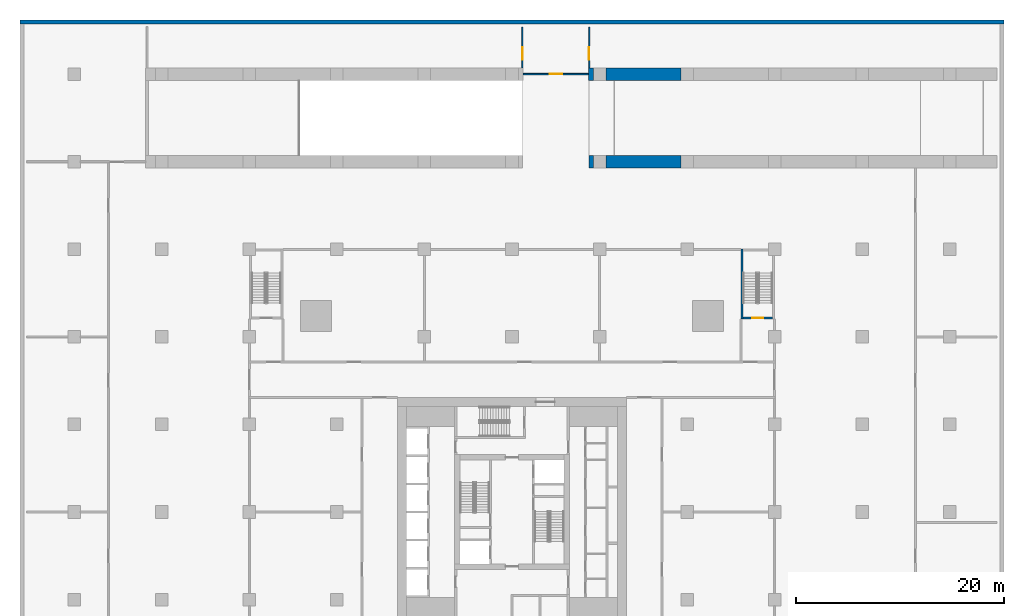
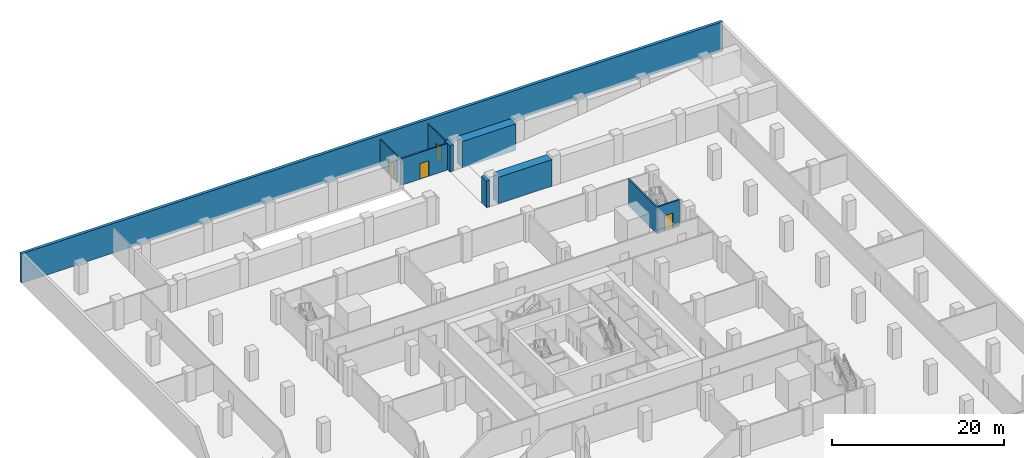
# One storey, part 10 of 16: 10 walls, 4 doors, 4 openings.
"""IFC4 building model written with IfcOpenShell, lengths in metres."""

from ifc_helpers import new_model, si_unit, direction, frame, frame_2d, origin, place, context, subcontext, project, spatial, rectangle, extrude, material, layer, layer_set, type_object, element, fill, save


model = new_model("IFC4")

# Units and contexts
model_context = context("Model", 3, precision=1e-05, world=origin(), true_north=direction((0.0, 1.0)))
body_context = subcontext(model_context, "Body", "Model", "MODEL_VIEW")
ifc_project = project(units=[si_unit("LENGTHUNIT", "METRE"), si_unit("AREAUNIT", "SQUARE_METRE"), si_unit("VOLUMEUNIT", "CUBIC_METRE"), si_unit("PLANEANGLEUNIT", "RADIAN"), si_unit("MASSUNIT", "GRAM", prefix="KILO")], contexts=[model_context])

# Site, building, storey
site_placement = place(None, origin())
site = spatial("IfcSite", under=ifc_project, at=site_placement, CompositionType="ELEMENT")
building_placement = place(site_placement, origin())
building = spatial("IfcBuilding", under=site, at=building_placement, Name="Khepri Terraces", CompositionType="ELEMENT")
storey_placement = place(building_placement, frame((0.0, 0.0, -4.199951171875)))
storey = spatial("IfcBuildingStorey", under=building, at=storey_placement, Name="B1", CompositionType="ELEMENT", Elevation=-4.199951171875)

# Wall
ifc_material_1 = material(Name="Concrete C60/75", Category="concrete")
ifc_layer_1 = layer(ifc_material_1, 0.39990234375, Name="Concrete C60/75", Category="concrete")
ifc_layer_set_1 = layer_set([ifc_layer_1], Name="Concrete C60/75")
wall_type_1 = type_object("IfcWallType", Name="Retaining wall RW1", PredefinedType="USERDEFINED", material=ifc_layer_set_1)
wall_1_placement = place(storey_placement, frame((-47.199951171875, 47.0, 0.0), z_axis=(0.0, 0.0, 1.0), x_axis=(1.0, 0.0, 0.0)))
element("IfcWall", 1, at=wall_1_placement, inside=storey, type_object=wall_type_1, Name="Basement retaining wall N B1", ObjectType="RETAINING WALL", PredefinedType="USERDEFINED", context=body_context, shape_type="SweptSolid", body=[
    extrude(rectangle(XDim=94.39990234375, YDim=0.39990234375, at=frame_2d((47.199951171875, 0.0))), origin(), (0.0, 0.0, 1.0), 4.199951171875),
])

# Wall, opening, door
ifc_material_2 = material(Name="Gypsum board partition")
ifc_layer_2 = layer(ifc_material_2, 0.14990234375, Name="Gypsum board partition")
ifc_layer_set_2 = layer_set([ifc_layer_2], Name="Gypsum board partition")
wall_type_2 = type_object("IfcWallType", Name="WL-POD-150", PredefinedType="PARTITIONING", material=ifc_layer_set_2)
wall_2_placement = place(storey_placement, frame((1.074951171875, 42.0, 0.0), z_axis=(0.0, 0.0, 1.0), x_axis=(1.0, 0.0, 0.0)))
wall_2 = element("IfcWall", 2, at=wall_2_placement, inside=storey, type_object=wall_type_2, Name="Partition B1-PW054", PredefinedType="PARTITIONING", context=body_context, shape_type="SweptSolid", body=[
    extrude(rectangle(XDim=6.25, YDim=0.14990234375, at=frame_2d((3.125, 0.0))), origin(), (0.0, 0.0, 1.0), 3.780029296875),
])
opening_1_placement = place(wall_2_placement, frame((2.52490234375, 0.0, 0.0)))
opening_1 = element("IfcOpeningElement", 3, at=opening_1_placement, cuts=wall_2, Name="Opening B1-P36", PredefinedType="OPENING", context=body_context, shape_type="SweptSolid", body=[
    extrude(rectangle(XDim=1.199951171875, YDim=2.199951171875, at=frame_2d((0.60009765625, 1.10009765625))), frame((0.0, 0.0849609375, 0.0), z_axis=(0.0, -1.0, 0.0), x_axis=(1.0, 0.0, 0.0)), (0.0, 0.0, 1.0), 0.169921875),
])
ifc_material_3 = material(Name="Timber veneer", Category="wood")
door_type_1 = type_object("IfcDoorType", Name="DR-POD-SINGLE-1200", OperationType="NOTDEFINED", PredefinedType="DOOR", material=ifc_material_3)
door_1_placement = place(opening_1_placement, origin())
door_1 = element("IfcDoor", 4, at=door_1_placement, inside=storey, type_object=door_type_1, Name="Door B1-P36", OperationType="SINGLE_SWING_LEFT", OverallHeight=2.199951171875, OverallWidth=1.199951171875, PredefinedType="DOOR", context=body_context, shape_type="SweptSolid", body=[
    extrude(rectangle(XDim=1.199951171875, YDim=2.199951171875, at=frame_2d((0.60009765625, 1.10009765625))), frame((0.0, 0.02490234375, 0.0), z_axis=(0.0, -1.0, 0.0), x_axis=(1.0, 0.0, 0.0)), (0.0, 0.0, 1.0), 0.050048828125),
])
fill(opening_1, door_1)

wall_3_placement = place(storey_placement, frame((1.0, 42.60009765625, 0.0), z_axis=(0.0, 0.0, 1.0), x_axis=(0.0, 1.0, 0.0)))
wall_3 = element("IfcWall", 5, at=wall_3_placement, inside=storey, type_object=wall_type_2, Name="Partition B1-PW085", PredefinedType="PARTITIONING", context=body_context, shape_type="SweptSolid", body=[
    extrude(rectangle(XDim=3.949951171875, YDim=0.14990234375, at=frame_2d((1.97509765625, 0.0))), origin(), (0.0, 0.0, 1.0), 3.780029296875),
])
opening_2_placement = place(wall_3_placement, frame((0.800048828125, 0.0, 0.0)))
opening_2 = element("IfcOpeningElement", 6, at=opening_2_placement, cuts=wall_3, Name="Opening B1-P37", PredefinedType="OPENING", context=body_context, shape_type="SweptSolid", body=[
    extrude(rectangle(XDim=1.199951171875, YDim=2.199951171875, at=frame_2d((0.60009765625, 1.10009765625))), frame((0.0, 0.0849609375, 0.0), z_axis=(0.0, -1.0, 0.0), x_axis=(1.0, 0.0, 0.0)), (0.0, 0.0, 1.0), 0.169921875),
])
door_2_placement = place(opening_2_placement, origin())
door_2 = element("IfcDoor", 7, at=door_2_placement, inside=storey, type_object=door_type_1, Name="Door B1-P37", OperationType="SINGLE_SWING_LEFT", OverallHeight=2.199951171875, OverallWidth=1.199951171875, PredefinedType="DOOR", context=body_context, shape_type="SweptSolid", body=[
    extrude(rectangle(XDim=1.199951171875, YDim=2.199951171875, at=frame_2d((0.60009765625, 1.10009765625))), frame((0.0, 0.02490234375, 0.0), z_axis=(0.0, -1.0, 0.0), x_axis=(1.0, 0.0, 0.0)), (0.0, 0.0, 1.0), 0.050048828125),
])
fill(opening_2, door_2)

wall_4_placement = place(storey_placement, frame((7.39990234375, 42.60009765625, 0.0), z_axis=(0.0, 0.0, 1.0), x_axis=(0.0, 1.0, 0.0)))
wall_4 = element("IfcWall", 8, at=wall_4_placement, inside=storey, type_object=wall_type_2, Name="Partition B1-PW086", PredefinedType="PARTITIONING", context=body_context, shape_type="SweptSolid", body=[
    extrude(rectangle(XDim=3.949951171875, YDim=0.14990234375, at=frame_2d((1.97509765625, 0.0))), origin(), (0.0, 0.0, 1.0), 3.780029296875),
])
opening_3_placement = place(wall_4_placement, frame((0.800048828125, 0.0, 0.0)))
opening_3 = element("IfcOpeningElement", 9, at=opening_3_placement, cuts=wall_4, Name="Opening B1-P38", PredefinedType="OPENING", context=body_context, shape_type="SweptSolid", body=[
    extrude(rectangle(XDim=1.199951171875, YDim=2.199951171875, at=frame_2d((0.60009765625, 1.10009765625))), frame((0.0, 0.0849609375, 0.0), z_axis=(0.0, -1.0, 0.0), x_axis=(1.0, 0.0, 0.0)), (0.0, 0.0, 1.0), 0.169921875),
])
door_3_placement = place(opening_3_placement, origin())
door_3 = element("IfcDoor", 10, at=door_3_placement, inside=storey, type_object=door_type_1, Name="Door B1-P38", OperationType="SINGLE_SWING_RIGHT", OverallHeight=2.199951171875, OverallWidth=1.199951171875, PredefinedType="DOOR", context=body_context, shape_type="SweptSolid", body=[
    extrude(rectangle(XDim=1.199951171875, YDim=2.199951171875, at=frame_2d((0.60009765625, 1.10009765625))), frame((0.0, 0.02490234375, 0.0), z_axis=(0.0, -1.0, 0.0), x_axis=(1.0, 0.0, 0.0)), (0.0, 0.0, 1.0), 0.050048828125),
])
fill(opening_3, door_3)

# Walls
ifc_material_4 = material(Name="Concrete C40/50", Category="concrete")
ifc_layer_3 = layer(ifc_material_4, 1.199951171875, Name="Concrete C40/50", Category="concrete")
ifc_layer_set_3 = layer_set([ifc_layer_3], Name="Concrete C40/50")
wall_type_3 = type_object("IfcWallType", Name="WL-POD-RAMP-1200", PredefinedType="SOLIDWALL", material=ifc_layer_set_3)
wall_5_placement = place(storey_placement, frame((7.39990234375, 33.60009765625, 0.0), z_axis=(0.0, 0.0, 1.0), x_axis=(1.0, 0.0, 0.0)))
element("IfcWall", 11, at=wall_5_placement, inside=storey, type_object=wall_type_3, Name="Ramp wall B1-PW042", PredefinedType="SOLIDWALL", context=body_context, shape_type="SweptSolid", body=[
    extrude(rectangle(XDim=0.400146484375, YDim=1.199951171875, at=frame_2d((0.2001953125, 0.0))), origin(), (0.0, 0.0, 1.0), 3.780029296875),
])
wall_6_placement = place(storey_placement, frame((9.0, 33.60009765625, 0.0), z_axis=(0.0, 0.0, 1.0), x_axis=(1.0, 0.0, 0.0)))
element("IfcWall", 12, at=wall_6_placement, inside=storey, type_object=wall_type_3, Name="Ramp wall B1-PW043", PredefinedType="SOLIDWALL", context=body_context, shape_type="SweptSolid", body=[
    extrude(rectangle(XDim=7.199951171875, YDim=1.199951171875, at=frame_2d((3.60009765625, 0.0))), origin(), (0.0, 0.0, 1.0), 3.780029296875),
])
wall_7_placement = place(storey_placement, frame((7.324951171875, 42.0, 0.0), z_axis=(0.0, 0.0, 1.0), x_axis=(1.0, 0.0, 0.0)))
element("IfcWall", 13, at=wall_7_placement, inside=storey, type_object=wall_type_3, Name="Ramp wall B1-PW055", PredefinedType="SOLIDWALL", context=body_context, shape_type="SweptSolid", body=[
    extrude(rectangle(XDim=0.47509765625, YDim=1.199951171875, at=frame_2d((0.237548828125, 0.0))), origin(), (0.0, 0.0, 1.0), 3.780029296875),
])
wall_8_placement = place(storey_placement, frame((9.0, 42.0, 0.0), z_axis=(0.0, 0.0, 1.0), x_axis=(1.0, 0.0, 0.0)))
element("IfcWall", 14, at=wall_8_placement, inside=storey, type_object=wall_type_3, Name="Ramp wall B1-PW056", PredefinedType="SOLIDWALL", context=body_context, shape_type="SweptSolid", body=[
    extrude(rectangle(XDim=7.199951171875, YDim=1.199951171875, at=frame_2d((3.60009765625, 0.0))), origin(), (0.0, 0.0, 1.0), 3.780029296875),
])
ifc_layer_4 = layer(ifc_material_4, 0.199951171875, Name="Concrete C40/50", Category="concrete")
ifc_layer_set_4 = layer_set([ifc_layer_4], Name="Concrete C40/50")
wall_type_4 = type_object("IfcWallType", Name="WL-POD-STAIR-200", PredefinedType="SOLIDWALL", material=ifc_layer_set_4)
wall_9_placement = place(storey_placement, frame((22.050048828125, 18.5, 0.0), z_axis=(0.0, 0.0, 1.0), x_axis=(0.0, 1.0, 0.0)))
element("IfcWall", 15, at=wall_9_placement, inside=storey, type_object=wall_type_4, Name="Stair enclosure PS-1 B1-W", PredefinedType="SOLIDWALL", context=body_context, shape_type="SweptSolid", body=[
    extrude(rectangle(XDim=6.739990234375, YDim=0.199951171875, at=frame_2d((3.3701171875, 0.0))), origin(), (0.0, 0.0, 1.0), 3.780029296875),
])

# Wall, opening, door
wall_10_placement = place(storey_placement, frame((22.14990234375, 18.60009765625, 0.0), z_axis=(0.0, 0.0, 1.0), x_axis=(1.0, 0.0, 0.0)))
wall_10 = element("IfcWall", 16, at=wall_10_placement, inside=storey, type_object=wall_type_4, Name="Stair enclosure PS-1 B1-S", PredefinedType="SOLIDWALL", context=body_context, shape_type="SweptSolid", body=[
    extrude(rectangle(XDim=2.85009765625, YDim=0.199951171875, at=frame_2d((1.425048828125, 0.0))), origin(), (0.0, 0.0, 1.0), 3.780029296875),
])
opening_4_placement = place(wall_10_placement, frame((0.875, 0.0, 0.0)))
opening_4 = element("IfcOpeningElement", 17, at=opening_4_placement, cuts=wall_10, Name="Opening B1-PS-1D", PredefinedType="OPENING", context=body_context, shape_type="SweptSolid", body=[
    extrude(rectangle(XDim=1.10009765625, YDim=2.199951171875, at=frame_2d((0.550048828125, 1.10009765625))), frame((0.0, 0.10986328125, 0.0), z_axis=(0.0, -1.0, 0.0), x_axis=(1.0, 0.0, 0.0)), (0.0, 0.0, 1.0), 0.219970703125),
])
ifc_material_5 = material(Name="Painted steel", Category="steel")
door_type_2 = type_object("IfcDoorType", Name="DR-POD-STAIR-1100", OperationType="NOTDEFINED", PredefinedType="DOOR", material=ifc_material_5)
door_4_placement = place(opening_4_placement, origin())
door_4 = element("IfcDoor", 18, at=door_4_placement, inside=storey, type_object=door_type_2, Name="Stair door B1-PS-1D", OperationType="SINGLE_SWING_RIGHT", OverallHeight=2.199951171875, OverallWidth=1.10009765625, PredefinedType="DOOR", context=body_context, shape_type="SweptSolid", body=[
    extrude(rectangle(XDim=1.10009765625, YDim=2.199951171875, at=frame_2d((0.550048828125, 1.10009765625))), frame((0.0, 0.02490234375, 0.0), z_axis=(0.0, -1.0, 0.0), x_axis=(1.0, 0.0, 0.0)), (0.0, 0.0, 1.0), 0.050048828125),
])
fill(opening_4, door_4)

save(model, "model.ifc")
